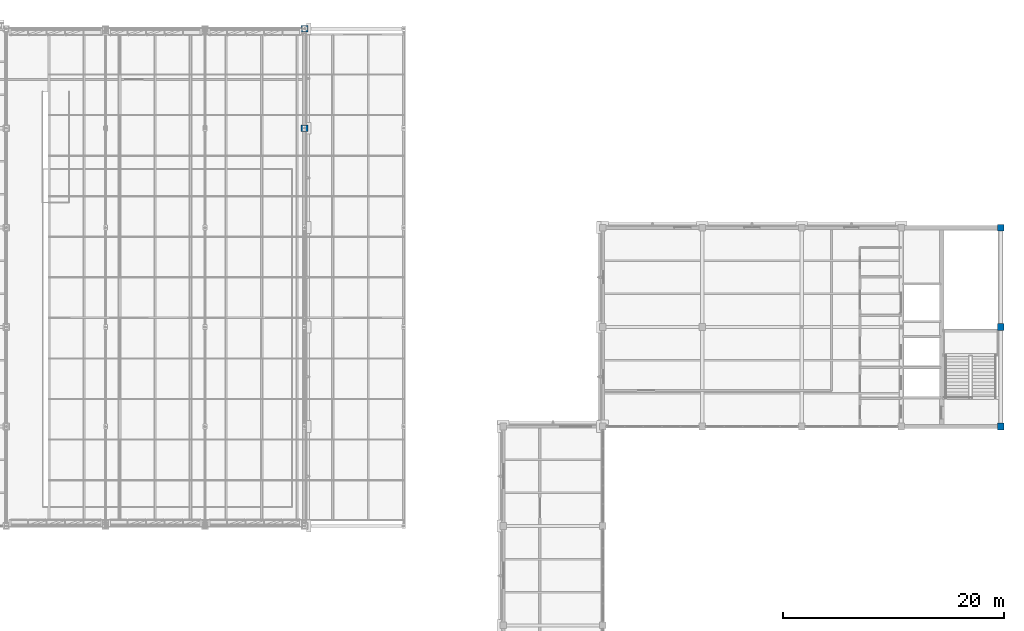
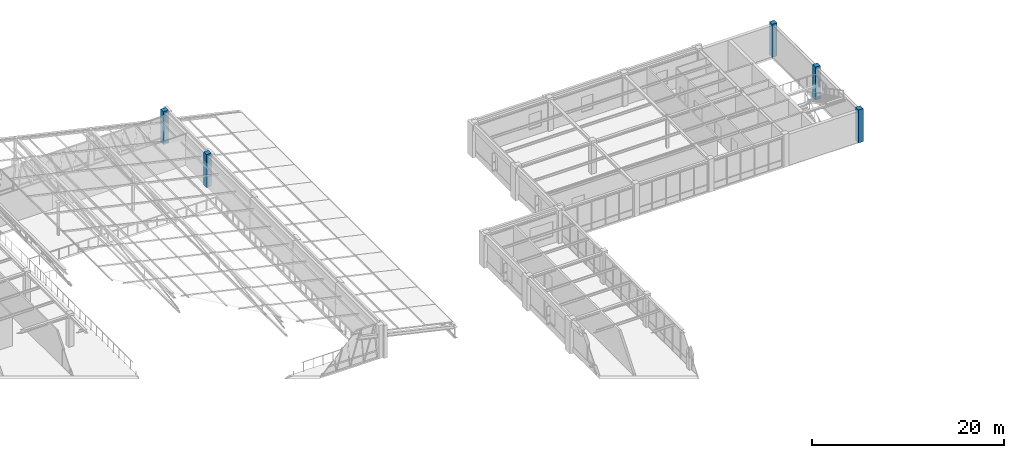
# One storey, part 12 of 130: 5 columns.
"""IFC4 building model written with IfcOpenShell, lengths in metres."""

from ifc_helpers import new_model, si_unit, direction, frame, origin, origin_2d, place, context, subcontext, project, spatial, rectangle, extrude, material, material_profile, profile_set, type_object, element, save


model = new_model("IFC4")

# Units and contexts
model_context = context("Model", 3, precision=1e-05, world=origin(), true_north=direction((0.0, 1.0)))
body_context = subcontext(model_context, "Body", "Model", "MODEL_VIEW")
ifc_project = project(units=[si_unit("LENGTHUNIT", "METRE"), si_unit("AREAUNIT", "SQUARE_METRE"), si_unit("VOLUMEUNIT", "CUBIC_METRE"), si_unit("PLANEANGLEUNIT", "RADIAN"), si_unit("MASSUNIT", "GRAM", prefix="KILO")], contexts=[model_context])

# Site, building, storey
site_placement = place(None, origin())
site = spatial("IfcSite", under=ifc_project, at=site_placement, CompositionType="ELEMENT")
building_placement = place(site_placement, origin())
building = spatial("IfcBuilding", under=site, at=building_placement, Name="Lykobir Media Centre", CompositionType="ELEMENT")
storey_placement = place(building_placement, frame((0.0, 0.0, 19.199951171875)))
storey = spatial("IfcBuildingStorey", under=building, at=storey_placement, Name="L04", CompositionType="ELEMENT", Elevation=19.199951171875)

# Columns
ifc_material = material(Name="Concrete C40/50", Category="concrete")
ifc_material_profile_1 = material_profile(ifc_material, rectangle(XDim=0.60009765625, YDim=0.60009765625, at=origin_2d()), Name="RC 600x600")
ifc_profile_set_1 = profile_set([ifc_material_profile_1], Name="Concrete C40/50")
column_type_1 = type_object("IfcColumnType", Name="RC-C600", PredefinedType="COLUMN", material=ifc_profile_set_1)
for number, where, z_axis, x_axis, name in (
    (1, (72.0, 99.0, 0.0), (0.0, 0.0, 1.0), (1.0, 0.0, 0.0), "Column COL-L04-0720-0990"),
    (2, (135.0, 72.0, 0.0), (0.0, 0.0, 1.0), (1.0, 0.0, 0.0), "Column COL-L04-1350-0720"),
    (3, (135.0, 81.0, 0.0), (0.0, 0.0, 1.0), (1.0, 0.0, 0.0), "Column COL-L04-1350-0810"),
    (4, (135.0, 90.0, 0.0), (0.0, 0.0, 1.0), (1.0, 0.0, 0.0), "Column COL-L04-1350-0900"),
):
    element("IfcColumn", number, at=place(storey_placement, frame(where, z_axis=z_axis, x_axis=x_axis)), inside=storey, type_object=column_type_1, Name=name, PredefinedType="COLUMN", context=body_context, shape_type="SweptSolid", body=[
        extrude(rectangle(XDim=0.60009765625, YDim=0.60009765625, at=origin_2d()), origin(), (0.0, 0.0, 1.0), 4.199951171875),
    ])
ifc_material_profile_2 = material_profile(ifc_material, rectangle(XDim=0.60009765625, YDim=0.60009765625, at=origin_2d()), Name="RC 600x600")
ifc_profile_set_2 = profile_set([ifc_material_profile_2], Name="Concrete C40/50")
column_type_2 = type_object("IfcColumnType", Name="RC-C600-E", PredefinedType="COLUMN", material=ifc_profile_set_2)
column_placement = place(storey_placement, frame((72.0, 108.0, 0.0), z_axis=(0.0, 0.0, 1.0), x_axis=(1.0, 0.0, 0.0)))
element("IfcColumn", 5, at=column_placement, inside=storey, type_object=column_type_2, Name="Column COL-L04-0720-1080", PredefinedType="COLUMN", context=body_context, shape_type="SweptSolid", body=[
    extrude(rectangle(XDim=0.60009765625, YDim=0.60009765625, at=origin_2d()), origin(), (0.0, 0.0, 1.0), 4.199951171875),
])

save(model, "model.ifc")
